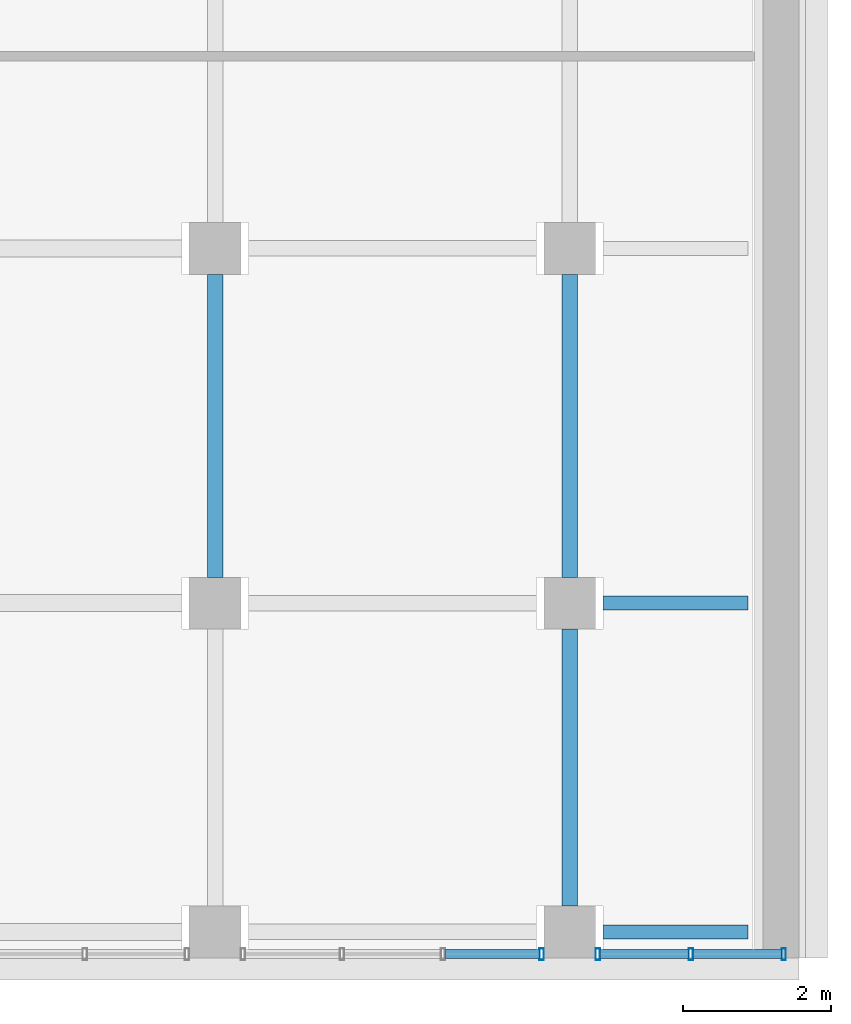
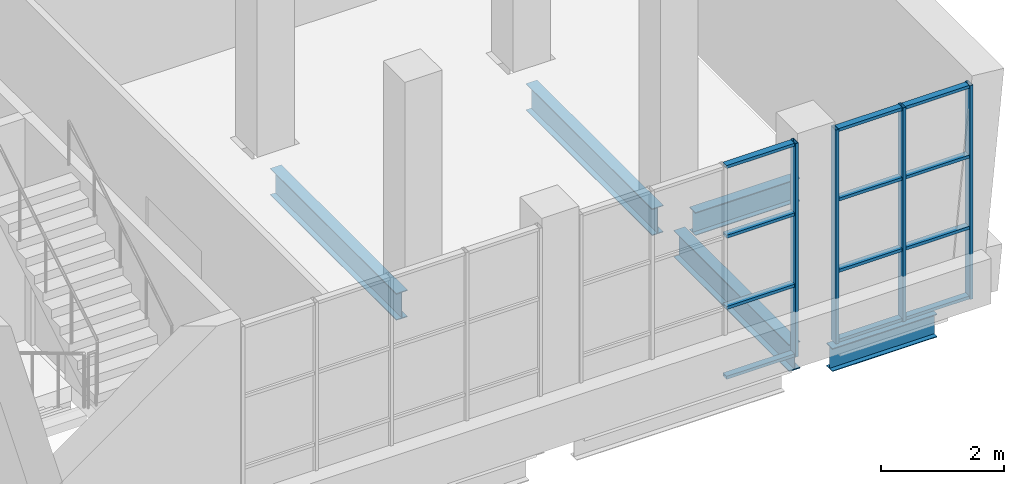
# One storey, part 11 of 32: 16 members, 5 beams, 2 elements without a shape of their own.
"""IFC4 building model written with IfcOpenShell, lengths in metres."""

import ifcopenshell
import ifcopenshell.guid

model = None  # the IFC model being written
_history = None  # IfcOwnerHistory: only IFC2X3 demands one
_inside = {}  # id of a spatial element -> (the spatial element, [elements in it])
_under = {}  # id of a project, library or spatial element -> (it, [spatial elements below it])
_declared = {}  # id of a project -> (the project, [libraries it declares])
_typed = {}  # id of a type object -> (the type object, [elements of that type])
_made_of = {}  # id of a material, layer set ... -> (it, [elements and type objects made of it])


def new_model(schema):
    """Start an empty IFC model of exactly this schema.

    Asked for "IFC4X3", IfcOpenShell would pick the latest addendum, in which some entities
    have other attributes; the version numbers below select the first issue.
    IFC2X3 requires an IfcOwnerHistory on every rooted entity: one is made here for all.
    """
    global model, _history
    if schema == "IFC4X3":
        model = ifcopenshell.file(schema_version=(4, 3, 0, 0))
    else:
        model = ifcopenshell.file(schema=schema)
    _inside.clear()
    _under.clear()
    _declared.clear()
    _typed.clear()
    _made_of.clear()
    _history = None
    if model.schema == "IFC2X3":
        org = make("IfcOrganization", Name="unknown")
        user = make(
            "IfcPersonAndOrganization",
            ThePerson=make("IfcPerson", FamilyName="unknown"),
            TheOrganization=org,
        )
        app = make(
            "IfcApplication",
            ApplicationDeveloper=org,
            Version="unknown",
            ApplicationFullName="unknown",
            ApplicationIdentifier="unknown",
        )
        _history = make(
            "IfcOwnerHistory",
            OwningUser=user,
            OwningApplication=app,
            ChangeAction="ADDED",
            CreationDate=0,
        )
    return model


def make(cls, **values):
    """One entity of the class cls with the attributes given. An attribute that is None is left unset."""
    return model.create_entity(
        cls, **{name: value for name, value in values.items() if value is not None}
    )


def rooted(cls, **values):
    """An entity with a GlobalId (a new one), such as an element, a storey or a relation."""
    return make(cls, GlobalId=ifcopenshell.guid.new(), OwnerHistory=_history, **values)


def si_unit(unit_type, name, prefix=None):
    """IfcSIUnit, for example si_unit("LENGTHUNIT", "METRE", prefix="MILLI")."""
    return make("IfcSIUnit", UnitType=unit_type, Prefix=prefix, Name=name)


def assignment(units):
    """IfcUnitAssignment: the units of a project."""
    return None if units is None else make("IfcUnitAssignment", Units=units)


def point(xyz):
    """IfcCartesianPoint."""
    return None if xyz is None else make("IfcCartesianPoint", Coordinates=xyz)


def direction(xyz):
    """IfcDirection."""
    return None if xyz is None else make("IfcDirection", DirectionRatios=xyz)


def frame(location, z_axis=None, x_axis=None):
    """IfcAxis2Placement3D, a coordinate frame: its origin and axes. An axis left out is left unset."""
    return make(
        "IfcAxis2Placement3D",
        Location=point(location),
        Axis=direction(z_axis),
        RefDirection=direction(x_axis),
    )


def frame_2d(location, x_axis=None):
    """IfcAxis2Placement2D, a coordinate frame in the plane: its origin and x axis."""
    return make(
        "IfcAxis2Placement2D", Location=point(location), RefDirection=direction(x_axis)
    )


def origin():
    """The frame at (0, 0, 0) with its axes left unset."""
    return frame((0.0, 0.0, 0.0))


def origin_2d():
    """The frame at (0, 0) in the plane with its x axis left unset."""
    return frame_2d((0.0, 0.0))


def place(relative_to, where):
    """IfcLocalPlacement: puts the frame where relative to a parent placement (None: the world)."""
    return make(
        "IfcLocalPlacement", PlacementRelTo=relative_to, RelativePlacement=where
    )


def context(
    kind, dimensions, precision=None, world=None, true_north=None, identifier=None
):
    """IfcGeometricRepresentationContext, for example the 3D "Model" context."""
    return make(
        "IfcGeometricRepresentationContext",
        ContextIdentifier=identifier,
        ContextType=kind,
        CoordinateSpaceDimension=dimensions,
        Precision=precision,
        WorldCoordinateSystem=world,
        TrueNorth=true_north,
    )


def subcontext(parent, identifier, kind, view, scale=None):
    """IfcGeometricRepresentationSubContext, for example "Body" below "Model"."""
    return make(
        "IfcGeometricRepresentationSubContext",
        ContextIdentifier=identifier,
        ContextType=kind,
        ParentContext=parent,
        TargetScale=scale,
        TargetView=view,
    )


def project(units=None, contexts=None):
    """IfcProject with its units and contexts."""
    return rooted(
        "IfcProject",
        Name="project",
        RepresentationContexts=contexts,
        UnitsInContext=assignment(units),
    )


def spatial(cls, under=None, at=None, **own):
    """A site, building, storey or space (cls), placed at a placement, below another one or the project."""
    s = rooted(cls, ObjectPlacement=at, **own)
    if under is not None:
        _under.setdefault(under.id(), (under, []))[1].append(s)
    return s


def profile(cls, at=None, kind="AREA", **sizes):
    """A parametric profile (cls). Its sizes go by their IFC names, for example OverallWidth=200.0."""
    return make(cls, ProfileType=kind, Position=at, **sizes)


def hollow_rectangle(**sizes):
    """IfcRectangleHollowProfileDef."""
    return profile("IfcRectangleHollowProfileDef", **sizes)


def i_section(**sizes):
    """IfcIShapeProfileDef."""
    return profile("IfcIShapeProfileDef", **sizes)


def extrude(swept, where, along, depth):
    """IfcExtrudedAreaSolid: the profile swept, set in the frame where, extruded along a direction by depth."""
    return make(
        "IfcExtrudedAreaSolid",
        SweptArea=swept,
        Position=where,
        ExtrudedDirection=direction(along),
        Depth=depth,
    )


def shape(context_of_items, identifier, shape_type, items):
    """IfcShapeRepresentation: the items that make up one representation, for example the "Body"."""
    return make(
        "IfcShapeRepresentation",
        ContextOfItems=context_of_items,
        RepresentationIdentifier=identifier,
        RepresentationType=shape_type,
        Items=items,
    )


def material(Name=None, Category=None):
    """IfcMaterial."""
    return make("IfcMaterial", Name=Name, Category=Category)


def layer(
    of_material, thickness, ventilated=None, Name=None, Category=None, Priority=None
):
    """IfcMaterialLayer: one layer of a wall or slab, of a material (None: an air gap)."""
    return make(
        "IfcMaterialLayer",
        Material=of_material,
        LayerThickness=thickness,
        IsVentilated=ventilated,
        Name=Name,
        Category=Category,
        Priority=Priority,
    )


def layer_set(layers, Name=None):
    """IfcMaterialLayerSet."""
    return make("IfcMaterialLayerSet", MaterialLayers=layers, LayerSetName=Name)


def material_profile(
    of_material, cross_section, Name=None, Category=None, Priority=None
):
    """IfcMaterialProfile: a cross section and its material."""
    return make(
        "IfcMaterialProfile",
        Name=Name,
        Material=of_material,
        Profile=cross_section,
        Priority=Priority,
        Category=Category,
    )


def profile_set(profiles, Name=None, composite=None):
    """IfcMaterialProfileSet."""
    return make(
        "IfcMaterialProfileSet",
        Name=Name,
        MaterialProfiles=profiles,
        CompositeProfile=composite,
    )


def made_of(thing, what):
    """Note that an element or type object is made of a material, layer set ...; save() writes the relation."""
    if what is not None:
        _made_of.setdefault(what.id(), (what, []))[1].append(thing)
    return thing


def type_object(cls, material=None, **own):
    """A type object (cls), such as IfcWallType, which elements share."""
    return made_of(rooted(cls, **own), material)


def element(
    cls,
    number,
    at=None,
    inside=None,
    cuts=None,
    type_object=None,
    material=None,
    context=None,
    identifier="Body",
    shape_type=None,
    held_by="IfcProductDefinitionShape",
    body=None,
    shapes=None,
    **own,
):
    """One element of the class cls, such as IfcWall. Its Tag is "e" and its number.

    at: its placement. inside: the storey or other place that contains it. cuts: it is an
    opening in that element (IfcRelVoidsElement). A single representation is given by context,
    identifier, shape_type and body (its items); several are given by shapes. held_by: the class
    of the entity that holds the representations. save() writes the other relations.
    """
    e = rooted(cls, Tag="e%d" % number, ObjectPlacement=at, **own)
    if body is not None:
        shapes = [shape(context, identifier, shape_type, body)]
    if shapes is not None:
        e.Representation = make(held_by, Representations=shapes)
    if inside is not None:
        _inside.setdefault(inside.id(), (inside, []))[1].append(e)
    if cuts is not None:
        rooted(
            "IfcRelVoidsElement", RelatingBuildingElement=cuts, RelatedOpeningElement=e
        )
    if type_object is not None:
        _typed.setdefault(type_object.id(), (type_object, []))[1].append(e)
    return made_of(e, material)


def aggregate(whole, parts):
    """IfcRelAggregates: a whole, such as a stair, and the parts it consists of."""
    return rooted("IfcRelAggregates", RelatingObject=whole, RelatedObjects=parts)


def save(model, path):
    """Write the relations noted so far, then the file.

    IfcRelAggregates (storeys below a building ...), IfcRelContainedInSpatialStructure (elements
    in a storey), IfcRelDefinesByType, IfcRelAssociatesMaterial and IfcRelDeclares: one each for
    every whole, place, type object, material and project.
    """
    for whole, parts in _under.values():
        aggregate(whole, parts)
    for where, things in _inside.values():
        rooted(
            "IfcRelContainedInSpatialStructure",
            RelatedElements=things,
            RelatingStructure=where,
        )
    for kind, things in _typed.values():
        rooted("IfcRelDefinesByType", RelatedObjects=things, RelatingType=kind)
    for what, things in _made_of.values():
        rooted("IfcRelAssociatesMaterial", RelatedObjects=things, RelatingMaterial=what)
    for by, libraries in _declared.values():
        rooted("IfcRelDeclares", RelatingContext=by, RelatedDefinitions=libraries)
    model.write(path)


model = new_model("IFC4")

# Units and contexts
model_context = context("Model", 3, precision=1e-05, world=origin(), true_north=direction((0.0, 1.0)))
body_context = subcontext(model_context, "Body", "Model", "MODEL_VIEW")
ifc_project = project(units=[si_unit("LENGTHUNIT", "METRE"), si_unit("AREAUNIT", "SQUARE_METRE"), si_unit("VOLUMEUNIT", "CUBIC_METRE"), si_unit("PLANEANGLEUNIT", "RADIAN"), si_unit("MASSUNIT", "GRAM", prefix="KILO")], contexts=[model_context])

# Site, building, storey
site_placement = place(None, origin())
site = spatial("IfcSite", under=ifc_project, at=site_placement, CompositionType="ELEMENT")
building_placement = place(site_placement, origin())
building = spatial("IfcBuilding", under=site, at=building_placement, Name="Baori Bourse Tower", CompositionType="ELEMENT")
storey_placement = place(building_placement, frame((0.0, 0.0, 12.60009765625)))
storey = spatial("IfcBuildingStorey", under=building, at=storey_placement, Name="L01", CompositionType="ELEMENT", Elevation=12.60009765625)

# Beams
ifc_material_1 = material(Name="Steel A992 Gr 50", Category="steel")
ifc_material_profile_1 = material_profile(ifc_material_1, i_section(OverallWidth=0.1904296875, OverallDepth=0.457275390625, WebThickness=0.009033203125, FlangeThickness=0.014404296875, at=origin_2d()), Name="W18x50")
ifc_profile_set_1 = profile_set([ifc_material_profile_1], Name="Steel A992 Gr 50")
beam_type_1 = type_object("IfcBeamType", Name="Wing beam W18x50", PredefinedType="BEAM", material=ifc_profile_set_1)
for number, where, z_axis, x_axis, name in (
    (1, (74.415771484375, -24.85009765625, -0.52880859375), (-1.0, 0.0, 0.0), (0.0, -1.0, 0.0), "wing/L01/Ebeam/001"),
    (2, (74.415771484375, -20.39990234375, -0.52880859375), (-1.0, 0.0, 0.0), (0.0, -1.0, 0.0), "wing/L01/Ebeam/004"),
):
    element("IfcBeam", number, at=place(storey_placement, frame(where, z_axis=z_axis, x_axis=x_axis)), inside=storey, type_object=beam_type_1, Name=name, PredefinedType="BEAM", context=body_context, shape_type="SweptSolid", body=[
        extrude(i_section(OverallWidth=0.1904296875, OverallDepth=0.457275390625, WebThickness=0.009033203125, FlangeThickness=0.014404296875, at=origin_2d()), origin(), (0.0, 0.0, 1.0), 1.9658203125),
    ])
ifc_material_2 = material(Name="Steel A992 Gr 50", Category="steel")
ifc_material_profile_2 = material_profile(ifc_material_2, i_section(OverallWidth=0.209228515625, OverallDepth=0.533447265625, WebThickness=0.01025390625, FlangeThickness=0.015625, at=origin_2d()), Name="W21x62")
ifc_profile_set_2 = profile_set([ifc_material_profile_2], Name="Steel A992 Gr 50")
beam_type_2 = type_object("IfcBeamType", Name="Wing beam W21x62", PredefinedType="BEAM", material=ifc_profile_set_2)
beam_placement = place(storey_placement, frame((72.0, -24.5, -0.56689453125), z_axis=(0.0, 1.0, 0.0), x_axis=(-1.0, 0.0, 0.0)))
element("IfcBeam", 3, at=beam_placement, inside=storey, type_object=beam_type_2, Name="wing/L01/Ebeamy/001", PredefinedType="BEAM", context=body_context, shape_type="SweptSolid", body=[
    extrude(i_section(OverallWidth=0.209228515625, OverallDepth=0.533447265625, WebThickness=0.01025390625, FlangeThickness=0.015625, at=origin_2d()), origin(), (0.0, 0.0, 1.0), 3.75),
])
for number, where, z_axis, x_axis, name in (
    (4, (72.0, -20.050048828125, -0.56689453125), (0.0, 1.0, 0.0), (-1.0, 0.0, 0.0), "wing/L01/Ebeamy/002"),
    (5, (67.199951171875, -20.050048828125, -0.56689453125), (0.0, 1.0, 0.0), (-1.0, 0.0, 0.0), "wing/L01/Ebeamy/007"),
):
    element("IfcBeam", number, at=place(storey_placement, frame(where, z_axis=z_axis, x_axis=x_axis)), inside=storey, type_object=beam_type_2, Name=name, PredefinedType="BEAM", context=body_context, shape_type="SweptSolid", body=[
        extrude(i_section(OverallWidth=0.209228515625, OverallDepth=0.533447265625, WebThickness=0.01025390625, FlangeThickness=0.015625, at=origin_2d()), origin(), (0.0, 0.0, 1.0), 4.10009765625),
    ])

# Curtain wall, members
ifc_material_3 = material(Name="Pale anodised aluminium", Category="aluminium")
ifc_layer = layer(ifc_material_3, 0.10009765625)
ifc_layer_set = layer_set([ifc_layer], Name="Wing curtain wall")
curtain_wall_type = type_object("IfcCurtainWallType", Name="Wing curtain wall", PredefinedType="NOTDEFINED", material=ifc_layer_set)
curtain_wall_1_placement = place(storey_placement, origin())
curtain_wall_1 = element("IfcCurtainWall", 6, at=curtain_wall_1_placement, inside=storey, type_object=curtain_wall_type, Name="wing/L01/Ecw/001", PredefinedType="NOTDEFINED")
ifc_material_4 = material(Name="Pale anodised aluminium", Category="aluminium")
ifc_material_profile_3 = material_profile(ifc_material_4, hollow_rectangle(XDim=0.159912109375, YDim=0.06005859375, WallThickness=0.0048828125, at=origin_2d()), Name="Mullion 160x60x5")
ifc_profile_set_3 = profile_set([ifc_material_profile_3], Name="Pale anodised aluminium")
member_type_1 = type_object("IfcMemberType", Name="Wing mullion 60x160", PredefinedType="MULLION", material=ifc_profile_set_3)
member_1_placement = place(storey_placement, frame((72.3798828125, -25.14990234375, 0.0), z_axis=(0.0, 0.0, 1.0), x_axis=(0.0, 1.0, 0.0)))
member_1 = element("IfcMember", 7, at=member_1_placement, type_object=member_type_1, Name="X12 mullion 1", PredefinedType="MULLION", context=body_context, shape_type="SweptSolid", body=[
    extrude(hollow_rectangle(XDim=0.159912109375, YDim=0.06005859375, WallThickness=0.0048828125, at=origin_2d()), origin(), (0.0, 0.0, 1.0), 4.239990234375),
])
member_2_placement = place(storey_placement, frame((73.63818359375, -25.14990234375, 0.0), z_axis=(0.0, 0.0, 1.0), x_axis=(0.0, 1.0, 0.0)))
member_2 = element("IfcMember", 8, at=member_2_placement, type_object=member_type_1, Name="X12 mullion 2", PredefinedType="MULLION", context=body_context, shape_type="SweptSolid", body=[
    extrude(hollow_rectangle(XDim=0.159912109375, YDim=0.06005859375, WallThickness=0.0048828125, at=origin_2d()), origin(), (0.0, 0.0, 1.0), 4.239990234375),
])
member_3_placement = place(storey_placement, frame((74.896240234375, -25.14990234375, 0.0), z_axis=(0.0, 0.0, 1.0), x_axis=(0.0, 1.0, 0.0)))
member_3 = element("IfcMember", 9, at=member_3_placement, type_object=member_type_1, Name="X12 mullion 3", PredefinedType="MULLION", context=body_context, shape_type="SweptSolid", body=[
    extrude(hollow_rectangle(XDim=0.159912109375, YDim=0.06005859375, WallThickness=0.0048828125, at=origin_2d()), origin(), (0.0, 0.0, 1.0), 4.239990234375),
])

# Curtain wall, member
curtain_wall_2_placement = place(storey_placement, origin())
curtain_wall_2 = element("IfcCurtainWall", 10, at=curtain_wall_2_placement, inside=storey, type_object=curtain_wall_type, Name="wing/L01/Ecw/002", PredefinedType="NOTDEFINED")
member_4_placement = place(storey_placement, frame((71.6201171875, -25.14990234375, 0.0), z_axis=(0.0, 0.0, 1.0), x_axis=(0.0, 1.0, 0.0)))
member_4 = element("IfcMember", 11, at=member_4_placement, type_object=member_type_1, Name="X12 mullion 4", PredefinedType="MULLION", context=body_context, shape_type="SweptSolid", body=[
    extrude(hollow_rectangle(XDim=0.159912109375, YDim=0.06005859375, WallThickness=0.0048828125, at=origin_2d()), origin(), (0.0, 0.0, 1.0), 4.239990234375),
])

# Member
ifc_material_5 = material(Name="Pale anodised aluminium", Category="aluminium")
ifc_material_profile_4 = material_profile(ifc_material_5, hollow_rectangle(XDim=0.1201171875, YDim=0.06005859375, WallThickness=0.0048828125, at=origin_2d()), Name="Transom 120x60x5")
ifc_profile_set_4 = profile_set([ifc_material_profile_4], Name="Pale anodised aluminium")
member_type_2 = type_object("IfcMemberType", Name="Wing transom 120x60", PredefinedType="USERDEFINED", material=ifc_profile_set_4)
member_5_placement = place(storey_placement, frame((72.409912109375, -25.14990234375, 0.02978515625), z_axis=(1.0, 0.0, 0.0), x_axis=(0.0, 1.0, 0.0)))
member_5 = element("IfcMember", 12, at=member_5_placement, type_object=member_type_2, Name="X12 transom 1.1", ObjectType="TRANSOM", PredefinedType="USERDEFINED", context=body_context, shape_type="SweptSolid", body=[
    extrude(hollow_rectangle(XDim=0.1201171875, YDim=0.06005859375, WallThickness=0.0048828125, at=origin_2d()), origin(), (0.0, 0.0, 1.0), 1.1982421875),
])

member_6_placement = place(storey_placement, frame((72.409912109375, -25.14990234375, 1.413330078125), z_axis=(1.0, 0.0, 0.0), x_axis=(0.0, 1.0, 0.0)))
member_6 = element("IfcMember", 13, at=member_6_placement, type_object=member_type_2, Name="X12 transom 1.2", ObjectType="TRANSOM", PredefinedType="USERDEFINED", context=body_context, shape_type="SweptSolid", body=[
    extrude(hollow_rectangle(XDim=0.1201171875, YDim=0.06005859375, WallThickness=0.0048828125, at=origin_2d()), origin(), (0.0, 0.0, 1.0), 1.1982421875),
])

member_7_placement = place(storey_placement, frame((72.409912109375, -25.14990234375, 2.82666015625), z_axis=(1.0, 0.0, 0.0), x_axis=(0.0, 1.0, 0.0)))
member_7 = element("IfcMember", 14, at=member_7_placement, type_object=member_type_2, Name="X12 transom 1.3", ObjectType="TRANSOM", PredefinedType="USERDEFINED", context=body_context, shape_type="SweptSolid", body=[
    extrude(hollow_rectangle(XDim=0.1201171875, YDim=0.06005859375, WallThickness=0.0048828125, at=origin_2d()), origin(), (0.0, 0.0, 1.0), 1.1982421875),
])

member_8_placement = place(storey_placement, frame((72.409912109375, -25.14990234375, 4.2099609375), z_axis=(1.0, 0.0, 0.0), x_axis=(0.0, 1.0, 0.0)))
member_8 = element("IfcMember", 15, at=member_8_placement, type_object=member_type_2, Name="X12 transom 1.4", ObjectType="TRANSOM", PredefinedType="USERDEFINED", context=body_context, shape_type="SweptSolid", body=[
    extrude(hollow_rectangle(XDim=0.1201171875, YDim=0.06005859375, WallThickness=0.0048828125, at=origin_2d()), origin(), (0.0, 0.0, 1.0), 1.1982421875),
])

member_9_placement = place(storey_placement, frame((73.668212890625, -25.14990234375, 0.02978515625), z_axis=(1.0, 0.0, 0.0), x_axis=(0.0, 1.0, 0.0)))
member_9 = element("IfcMember", 16, at=member_9_placement, type_object=member_type_2, Name="X12 transom 2.1", ObjectType="TRANSOM", PredefinedType="USERDEFINED", context=body_context, shape_type="SweptSolid", body=[
    extrude(hollow_rectangle(XDim=0.1201171875, YDim=0.06005859375, WallThickness=0.0048828125, at=origin_2d()), origin(), (0.0, 0.0, 1.0), 1.197998046875),
])

member_10_placement = place(storey_placement, frame((73.668212890625, -25.14990234375, 1.413330078125), z_axis=(1.0, 0.0, 0.0), x_axis=(0.0, 1.0, 0.0)))
member_10 = element("IfcMember", 17, at=member_10_placement, type_object=member_type_2, Name="X12 transom 2.2", ObjectType="TRANSOM", PredefinedType="USERDEFINED", context=body_context, shape_type="SweptSolid", body=[
    extrude(hollow_rectangle(XDim=0.1201171875, YDim=0.06005859375, WallThickness=0.0048828125, at=origin_2d()), origin(), (0.0, 0.0, 1.0), 1.197998046875),
])

member_11_placement = place(storey_placement, frame((73.668212890625, -25.14990234375, 2.82666015625), z_axis=(1.0, 0.0, 0.0), x_axis=(0.0, 1.0, 0.0)))
member_11 = element("IfcMember", 18, at=member_11_placement, type_object=member_type_2, Name="X12 transom 2.3", ObjectType="TRANSOM", PredefinedType="USERDEFINED", context=body_context, shape_type="SweptSolid", body=[
    extrude(hollow_rectangle(XDim=0.1201171875, YDim=0.06005859375, WallThickness=0.0048828125, at=origin_2d()), origin(), (0.0, 0.0, 1.0), 1.197998046875),
])

member_12_placement = place(storey_placement, frame((73.668212890625, -25.14990234375, 4.2099609375), z_axis=(1.0, 0.0, 0.0), x_axis=(0.0, 1.0, 0.0)))
member_12 = element("IfcMember", 19, at=member_12_placement, type_object=member_type_2, Name="X12 transom 2.4", ObjectType="TRANSOM", PredefinedType="USERDEFINED", context=body_context, shape_type="SweptSolid", body=[
    extrude(hollow_rectangle(XDim=0.1201171875, YDim=0.06005859375, WallThickness=0.0048828125, at=origin_2d()), origin(), (0.0, 0.0, 1.0), 1.197998046875),
])

aggregate(curtain_wall_1, [member_1, member_2, member_3, member_5, member_6, member_7, member_8, member_9, member_10, member_11, member_12])

member_13_placement = place(storey_placement, frame((70.313232421875, -25.14990234375, 0.02978515625), z_axis=(1.0, 0.0, 0.0), x_axis=(0.0, 1.0, 0.0)))
member_13 = element("IfcMember", 20, at=member_13_placement, type_object=member_type_2, Name="X12 transom 3.1", ObjectType="TRANSOM", PredefinedType="USERDEFINED", context=body_context, shape_type="SweptSolid", body=[
    extrude(hollow_rectangle(XDim=0.1201171875, YDim=0.06005859375, WallThickness=0.0048828125, at=origin_2d()), origin(), (0.0, 0.0, 1.0), 1.27685546875),
])

member_14_placement = place(storey_placement, frame((70.313232421875, -25.14990234375, 1.413330078125), z_axis=(1.0, 0.0, 0.0), x_axis=(0.0, 1.0, 0.0)))
member_14 = element("IfcMember", 21, at=member_14_placement, type_object=member_type_2, Name="X12 transom 3.2", ObjectType="TRANSOM", PredefinedType="USERDEFINED", context=body_context, shape_type="SweptSolid", body=[
    extrude(hollow_rectangle(XDim=0.1201171875, YDim=0.06005859375, WallThickness=0.0048828125, at=origin_2d()), origin(), (0.0, 0.0, 1.0), 1.27685546875),
])

member_15_placement = place(storey_placement, frame((70.313232421875, -25.14990234375, 2.82666015625), z_axis=(1.0, 0.0, 0.0), x_axis=(0.0, 1.0, 0.0)))
member_15 = element("IfcMember", 22, at=member_15_placement, type_object=member_type_2, Name="X12 transom 3.3", ObjectType="TRANSOM", PredefinedType="USERDEFINED", context=body_context, shape_type="SweptSolid", body=[
    extrude(hollow_rectangle(XDim=0.1201171875, YDim=0.06005859375, WallThickness=0.0048828125, at=origin_2d()), origin(), (0.0, 0.0, 1.0), 1.27685546875),
])

member_16_placement = place(storey_placement, frame((70.313232421875, -25.14990234375, 4.2099609375), z_axis=(1.0, 0.0, 0.0), x_axis=(0.0, 1.0, 0.0)))
member_16 = element("IfcMember", 23, at=member_16_placement, type_object=member_type_2, Name="X12 transom 3.4", ObjectType="TRANSOM", PredefinedType="USERDEFINED", context=body_context, shape_type="SweptSolid", body=[
    extrude(hollow_rectangle(XDim=0.1201171875, YDim=0.06005859375, WallThickness=0.0048828125, at=origin_2d()), origin(), (0.0, 0.0, 1.0), 1.27685546875),
])

aggregate(curtain_wall_2, [member_4, member_13, member_14, member_15, member_16])

save(model, "model.ifc")
